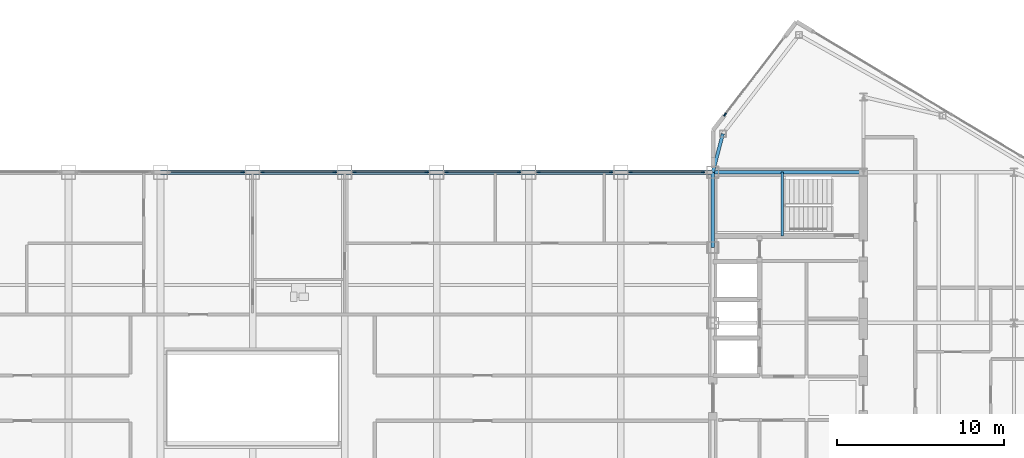
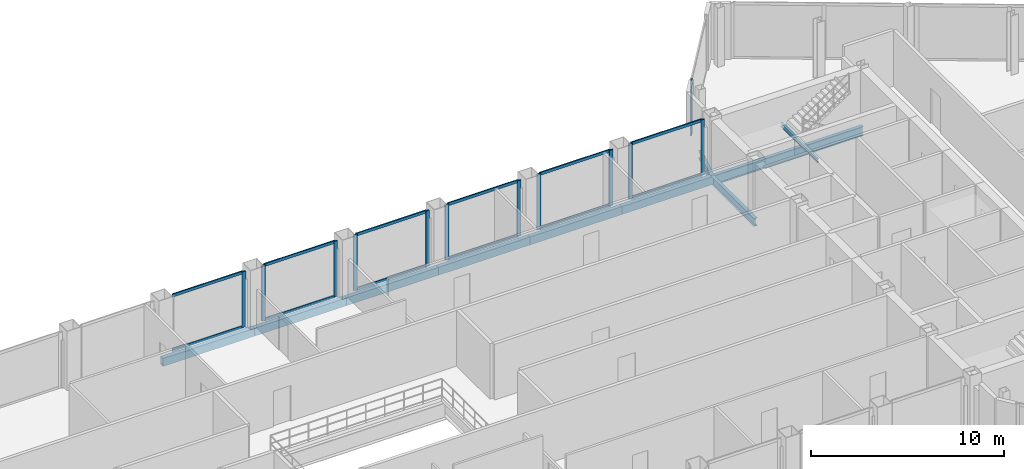
# One storey, part 16 of 29: 24 members, 10 beams, 7 elements without a shape of their own.
"""IFC4 building model written with IfcOpenShell, lengths in metres."""

from ifc_helpers import new_model, si_unit, direction, frame, origin, origin_2d, place, context, subcontext, project, spatial, rectangle, hollow_rectangle, i_section, extrude, source, transform, mapped, material, layer, layer_set, material_profile, profile_set, type_object, type_shapes, element, aggregate, save


model = new_model("IFC4")

# Units and contexts
model_context = context("Model", 3, precision=1e-05, world=origin(), true_north=direction((0.0, 1.0)))
body_context = subcontext(model_context, "Body", "Model", "MODEL_VIEW")
ifc_project = project(units=[si_unit("LENGTHUNIT", "METRE"), si_unit("AREAUNIT", "SQUARE_METRE"), si_unit("VOLUMEUNIT", "CUBIC_METRE"), si_unit("PLANEANGLEUNIT", "RADIAN"), si_unit("MASSUNIT", "GRAM", prefix="KILO")], contexts=[model_context])

# Site, building, storey
site_placement = place(None, origin())
site = spatial("IfcSite", under=ifc_project, at=site_placement, CompositionType="ELEMENT")
building_placement = place(site_placement, origin())
building = spatial("IfcBuilding", under=site, at=building_placement, Name="Seokmaru Belvedere", CompositionType="ELEMENT")
storey_placement = place(building_placement, frame((0.0, 0.0, 243.14990234375)))
storey = spatial("IfcBuildingStorey", under=building, at=storey_placement, Name="L64", CompositionType="ELEMENT", Elevation=243.14990234375)

# Beams
ifc_material_1 = material(Name="Steel SM355 (355 MPa)", Category="steel")
ifc_material_profile_1 = material_profile(ifc_material_1, i_section(OverallWidth=0.199951171875, OverallDepth=0.5, WebThickness=0.010009765625, FlangeThickness=0.01611328125, at=origin_2d()), Name="H-500x200x10x16")
ifc_profile_set_1 = profile_set([ifc_material_profile_1], Name="Steel SM355 (355 MPa)")
beam_type_1 = type_object("IfcBeamType", Name="Perimeter Spandrel Beam H-500", PredefinedType="SPANDREL", material=ifc_profile_set_1)
shared_shape_1 = source(origin(), body_context, "Body", "SweptSolid", [
    extrude(i_section(OverallWidth=0.199951171875, OverallDepth=0.5, WebThickness=0.010009765625, FlangeThickness=0.01611328125, at=origin_2d()), origin(), (0.0, 0.0, 1.0), 4.5),
])
beam_1_placement = place(storey_placement, frame((27.5, 9.0, -0.469970703125), z_axis=(0.0, 1.0, 0.0), x_axis=(-1.0, 0.0, 0.0)))
element("IfcBeam", 1, at=beam_1_placement, inside=storey, type_object=beam_type_1, Name="L64 E Portal Spine Spandrel 5", PredefinedType="SPANDREL", context=body_context, shape_type="MappedRepresentation", body=[
    mapped(shared_shape_1, transform((0.0, 0.0, 0.0), scale=1.0)),
])
ifc_material_profile_2 = material_profile(ifc_material_1, i_section(OverallWidth=0.199951171875, OverallDepth=0.60009765625, WebThickness=0.010986328125, FlangeThickness=0.01708984375, at=origin_2d()), Name="H-600x200x11x17")
ifc_profile_set_2 = profile_set([ifc_material_profile_2], Name="Steel SM355 (355 MPa)")
beam_type_2 = type_object("IfcBeamType", Name="Primary Floor Girder H-600", PredefinedType="BEAM", material=ifc_profile_set_2)
shared_shape_2 = source(origin(), body_context, "Body", "SweptSolid", [
    extrude(i_section(OverallWidth=0.199951171875, OverallDepth=0.60009765625, WebThickness=0.010986328125, FlangeThickness=0.01708984375, at=origin_2d()), origin(), (0.0, 0.0, 1.0), 9.0),
])
type_shapes(beam_type_2, [shared_shape_2])
beam_2_placement = place(storey_placement, frame((27.5, 13.5, -0.52001953125), z_axis=(1.0, 0.0, 0.0), x_axis=(0.0, 1.0, 0.0)))
element("IfcBeam", 2, at=beam_2_placement, inside=storey, type_object=beam_type_2, Name="L64 E Core Tie Girder 4", PredefinedType="BEAM", context=body_context, shape_type="MappedRepresentation", body=[
    mapped(shared_shape_2, transform((0.0, 0.0, 0.0), scale=1.0)),
])
shared_shape_3 = source(origin(), body_context, "Body", "SweptSolid", [
    extrude(i_section(OverallWidth=0.199951171875, OverallDepth=0.5, WebThickness=0.010009765625, FlangeThickness=0.01611328125, at=origin_2d()), origin(), (0.0, 0.0, 1.0), 2.373046875),
])
type_shapes(beam_type_1, [shared_shape_1, shared_shape_3])
beam_3_placement = place(storey_placement, frame((28.10009765625, 15.7958984375, -0.469970703125), z_axis=(-0.252882558842, -0.967496982648, 0.0), x_axis=(0.967496982648, -0.252882558842, 0.0)))
element("IfcBeam", 3, at=beam_3_placement, inside=storey, type_object=beam_type_1, Name="L64 E Shoulder Spine Spandrel N", PredefinedType="SPANDREL", context=body_context, shape_type="MappedRepresentation", body=[
    mapped(shared_shape_3, transform((0.0, 0.0, 0.0), scale=1.0)),
])
ifc_material_profile_3 = material_profile(ifc_material_1, hollow_rectangle(XDim=0.25, YDim=0.5, WallThickness=0.013916015625, at=origin_2d()), Name="RHS-500x250x14")
ifc_profile_set_3 = profile_set([ifc_material_profile_3], Name="Steel SM355 (355 MPa)")
beam_type_3 = type_object("IfcBeamType", Name="Bridge Edge Spandrel RHS-500", PredefinedType="SPANDREL", material=ifc_profile_set_3)
shared_shape_4 = source(origin(), body_context, "Body", "SweptSolid", [
    extrude(hollow_rectangle(XDim=0.25, YDim=0.5, WallThickness=0.013916015625, at=origin_2d()), origin(), (0.0, 0.0, 1.0), 5.5),
])
type_shapes(beam_type_3, [shared_shape_4])
for number, where, z_axis, x_axis, name in (
    (4, (-5.5, 13.5, -0.469970703125), (1.0, 0.0, 0.0), (0.0, 1.0, 0.0), "L64 Sky-Gate Bridge Edge Girder N-05"),
    (5, (0.0, 13.5, -0.469970703125), (1.0, 0.0, 0.0), (0.0, 1.0, 0.0), "L64 Sky-Gate Bridge Edge Girder N-06"),
    (6, (5.5, 13.5, -0.469970703125), (1.0, 0.0, 0.0), (0.0, 1.0, 0.0), "L64 Sky-Gate Bridge Edge Girder N-07"),
    (7, (11.0, 13.5, -0.469970703125), (1.0, 0.0, 0.0), (0.0, 1.0, 0.0), "L64 Sky-Gate Bridge Edge Girder N-08"),
    (8, (16.5, 13.5, -0.469970703125), (1.0, 0.0, 0.0), (0.0, 1.0, 0.0), "L64 Sky-Gate Bridge Edge Girder N-09"),
    (9, (22.0, 13.5, -0.469970703125), (1.0, 0.0, 0.0), (0.0, 1.0, 0.0), "L64 Sky-Gate Bridge Edge Girder N-10"),
):
    element("IfcBeam", number, at=place(storey_placement, frame(where, z_axis=z_axis, x_axis=x_axis)), inside=storey, type_object=beam_type_3, Name=name, PredefinedType="SPANDREL", context=body_context, shape_type="MappedRepresentation", body=[
        mapped(shared_shape_4, transform((0.0, 0.0, 0.0), scale=1.0)),
    ])

# Curtain wall, members
ifc_material_2 = material(Name="Bronze Triple Insulating Glass", Category="glass")
ifc_layer = layer(ifc_material_2, 0.219970703125)
ifc_layer_set = layer_set([ifc_layer], Name="Bronze Triple Insulating Glass")
curtain_wall_type = type_object("IfcCurtainWallType", Name="Sky-Gate Bridge Panorama Curtain Wall System CW-6", PredefinedType="NOTDEFINED", material=ifc_layer_set)
curtain_wall_1_placement = place(storey_placement, origin())
curtain_wall_1 = element("IfcCurtainWall", 10, at=curtain_wall_1_placement, inside=storey, type_object=curtain_wall_type, Name="L64 Curtain Wall BR_N05", PredefinedType="NOTDEFINED")
ifc_material_3 = material(Name="Anodised Bronze Aluminium", Category="aluminium")
ifc_material_profile_4 = material_profile(ifc_material_3, rectangle(XDim=0.074951171875, YDim=0.179931640625, at=origin_2d()), Name="CW-T-75x180")
ifc_profile_set_4 = profile_set([ifc_material_profile_4], Name="Anodised Bronze Aluminium")
member_type_1 = type_object("IfcMemberType", Name="Bronze Unitised Transom 75x180", PredefinedType="USERDEFINED", material=ifc_profile_set_4)
shared_shape_5 = source(origin(), body_context, "Body", "SweptSolid", [
    extrude(rectangle(XDim=0.074951171875, YDim=0.179931640625, at=origin_2d()), origin(), (0.0, 0.0, 1.0), 4.240234375),
])
type_shapes(member_type_1, [shared_shape_5])
member_1_placement = place(storey_placement, frame((-0.6298828125, 13.5, 0.03759765625), z_axis=(-1.0, 0.0, 0.0), x_axis=(0.0, -1.0, 0.0)))
member_1 = element("IfcMember", 11, at=member_1_placement, type_object=member_type_1, Name="CW:L64:BR_N05 Continuous Transom 1", ObjectType="TRANSOM", PredefinedType="USERDEFINED", context=body_context, shape_type="MappedRepresentation", body=[
    mapped(shared_shape_5, transform((0.0, 0.0, 0.0), scale=1.0)),
])
member_2_placement = place(storey_placement, frame((-0.6298828125, 13.5, 3.49267578125), z_axis=(-1.0, 0.0, 0.0), x_axis=(0.0, -1.0, 0.0)))
member_2 = element("IfcMember", 12, at=member_2_placement, type_object=member_type_1, Name="CW:L64:BR_N05 Continuous Transom 2", ObjectType="TRANSOM", PredefinedType="USERDEFINED", context=body_context, shape_type="MappedRepresentation", body=[
    mapped(shared_shape_5, transform((0.0, 0.0, 0.0), scale=1.0)),
])

curtain_wall_2_placement = place(storey_placement, origin())
curtain_wall_2 = element("IfcCurtainWall", 13, at=curtain_wall_2_placement, inside=storey, type_object=curtain_wall_type, Name="L64 Curtain Wall BR_N06", PredefinedType="NOTDEFINED")
member_3_placement = place(storey_placement, frame((4.8701171875, 13.5, 0.03759765625), z_axis=(-1.0, 0.0, 0.0), x_axis=(0.0, -1.0, 0.0)))
member_3 = element("IfcMember", 14, at=member_3_placement, type_object=member_type_1, Name="CW:L64:BR_N06 Continuous Transom 1", ObjectType="TRANSOM", PredefinedType="USERDEFINED", context=body_context, shape_type="MappedRepresentation", body=[
    mapped(shared_shape_5, transform((0.0, 0.0, 0.0), scale=1.0)),
])
member_4_placement = place(storey_placement, frame((4.8701171875, 13.5, 3.49267578125), z_axis=(-1.0, 0.0, 0.0), x_axis=(0.0, -1.0, 0.0)))
member_4 = element("IfcMember", 15, at=member_4_placement, type_object=member_type_1, Name="CW:L64:BR_N06 Continuous Transom 2", ObjectType="TRANSOM", PredefinedType="USERDEFINED", context=body_context, shape_type="MappedRepresentation", body=[
    mapped(shared_shape_5, transform((0.0, 0.0, 0.0), scale=1.0)),
])

curtain_wall_3_placement = place(storey_placement, origin())
curtain_wall_3 = element("IfcCurtainWall", 16, at=curtain_wall_3_placement, inside=storey, type_object=curtain_wall_type, Name="L64 Curtain Wall BR_N07", PredefinedType="NOTDEFINED")
member_5_placement = place(storey_placement, frame((10.3701171875, 13.5, 0.03759765625), z_axis=(-1.0, 0.0, 0.0), x_axis=(0.0, -1.0, 0.0)))
member_5 = element("IfcMember", 17, at=member_5_placement, type_object=member_type_1, Name="CW:L64:BR_N07 Continuous Transom 1", ObjectType="TRANSOM", PredefinedType="USERDEFINED", context=body_context, shape_type="MappedRepresentation", body=[
    mapped(shared_shape_5, transform((0.0, 0.0, 0.0), scale=1.0)),
])
member_6_placement = place(storey_placement, frame((10.3701171875, 13.5, 3.49267578125), z_axis=(-1.0, 0.0, 0.0), x_axis=(0.0, -1.0, 0.0)))
member_6 = element("IfcMember", 18, at=member_6_placement, type_object=member_type_1, Name="CW:L64:BR_N07 Continuous Transom 2", ObjectType="TRANSOM", PredefinedType="USERDEFINED", context=body_context, shape_type="MappedRepresentation", body=[
    mapped(shared_shape_5, transform((0.0, 0.0, 0.0), scale=1.0)),
])

curtain_wall_4_placement = place(storey_placement, origin())
curtain_wall_4 = element("IfcCurtainWall", 19, at=curtain_wall_4_placement, inside=storey, type_object=curtain_wall_type, Name="L64 Curtain Wall BR_N08", PredefinedType="NOTDEFINED")
member_7_placement = place(storey_placement, frame((15.8701171875, 13.5, 0.03759765625), z_axis=(-1.0, 0.0, 0.0), x_axis=(0.0, -1.0, 0.0)))
member_7 = element("IfcMember", 20, at=member_7_placement, type_object=member_type_1, Name="CW:L64:BR_N08 Continuous Transom 1", ObjectType="TRANSOM", PredefinedType="USERDEFINED", context=body_context, shape_type="MappedRepresentation", body=[
    mapped(shared_shape_5, transform((0.0, 0.0, 0.0), scale=1.0)),
])
member_8_placement = place(storey_placement, frame((15.8701171875, 13.5, 3.49267578125), z_axis=(-1.0, 0.0, 0.0), x_axis=(0.0, -1.0, 0.0)))
member_8 = element("IfcMember", 21, at=member_8_placement, type_object=member_type_1, Name="CW:L64:BR_N08 Continuous Transom 2", ObjectType="TRANSOM", PredefinedType="USERDEFINED", context=body_context, shape_type="MappedRepresentation", body=[
    mapped(shared_shape_5, transform((0.0, 0.0, 0.0), scale=1.0)),
])

curtain_wall_5_placement = place(storey_placement, origin())
curtain_wall_5 = element("IfcCurtainWall", 22, at=curtain_wall_5_placement, inside=storey, type_object=curtain_wall_type, Name="L64 Curtain Wall BR_N09", PredefinedType="NOTDEFINED")
member_9_placement = place(storey_placement, frame((21.3701171875, 13.5, 0.03759765625), z_axis=(-1.0, 0.0, 0.0), x_axis=(0.0, -1.0, 0.0)))
member_9 = element("IfcMember", 23, at=member_9_placement, type_object=member_type_1, Name="CW:L64:BR_N09 Continuous Transom 1", ObjectType="TRANSOM", PredefinedType="USERDEFINED", context=body_context, shape_type="MappedRepresentation", body=[
    mapped(shared_shape_5, transform((0.0, 0.0, 0.0), scale=1.0)),
])
member_10_placement = place(storey_placement, frame((21.3701171875, 13.5, 3.49267578125), z_axis=(-1.0, 0.0, 0.0), x_axis=(0.0, -1.0, 0.0)))
member_10 = element("IfcMember", 24, at=member_10_placement, type_object=member_type_1, Name="CW:L64:BR_N09 Continuous Transom 2", ObjectType="TRANSOM", PredefinedType="USERDEFINED", context=body_context, shape_type="MappedRepresentation", body=[
    mapped(shared_shape_5, transform((0.0, 0.0, 0.0), scale=1.0)),
])

curtain_wall_6_placement = place(storey_placement, origin())
curtain_wall_6 = element("IfcCurtainWall", 25, at=curtain_wall_6_placement, inside=storey, type_object=curtain_wall_type, Name="L64 Curtain Wall BR_N10", PredefinedType="NOTDEFINED")
member_11_placement = place(storey_placement, frame((26.8701171875, 13.5, 0.03759765625), z_axis=(-1.0, 0.0, 0.0), x_axis=(0.0, -1.0, 0.0)))
member_11 = element("IfcMember", 26, at=member_11_placement, type_object=member_type_1, Name="CW:L64:BR_N10 Continuous Transom 1", ObjectType="TRANSOM", PredefinedType="USERDEFINED", context=body_context, shape_type="MappedRepresentation", body=[
    mapped(shared_shape_5, transform((0.0, 0.0, 0.0), scale=1.0)),
])
member_12_placement = place(storey_placement, frame((26.8701171875, 13.5, 3.49267578125), z_axis=(-1.0, 0.0, 0.0), x_axis=(0.0, -1.0, 0.0)))
member_12 = element("IfcMember", 27, at=member_12_placement, type_object=member_type_1, Name="CW:L64:BR_N10 Continuous Transom 2", ObjectType="TRANSOM", PredefinedType="USERDEFINED", context=body_context, shape_type="MappedRepresentation", body=[
    mapped(shared_shape_5, transform((0.0, 0.0, 0.0), scale=1.0)),
])

# Curtain wall, member
curtain_wall_7_placement = place(storey_placement, origin())
curtain_wall_7 = element("IfcCurtainWall", 28, at=curtain_wall_7_placement, inside=storey, type_object=curtain_wall_type, Name="L64 Curtain Wall EF4", PredefinedType="NOTDEFINED")
ifc_material_profile_5 = material_profile(ifc_material_3, rectangle(XDim=0.080078125, YDim=0.219970703125, at=origin_2d()), Name="CW-M-80x220")
ifc_profile_set_5 = profile_set([ifc_material_profile_5], Name="Anodised Bronze Aluminium")
member_type_2 = type_object("IfcMemberType", Name="Bronze Unitised Mullion 80x220", PredefinedType="MULLION", material=ifc_profile_set_5)
shared_shape_6 = source(origin(), body_context, "Body", "SweptSolid", [
    extrude(rectangle(XDim=0.080078125, YDim=0.219970703125, at=origin_2d()), origin(), (0.0, 0.0, 1.0), 3.530029296875),
])
type_shapes(member_type_2, [shared_shape_6])
member_13_placement = place(storey_placement, frame((28.2255859375, 16.943115234375, 0.0), z_axis=(0.0, 0.0, 1.0), x_axis=(0.792631353244, -0.609701187349, 0.0)))
member_13 = element("IfcMember", 29, at=member_13_placement, type_object=member_type_2, Name="CW:L64:EF4 Mullion 2", PredefinedType="MULLION", context=body_context, shape_type="MappedRepresentation", body=[
    mapped(shared_shape_6, transform((0.0, 0.0, 0.0), scale=1.0)),
])
aggregate(curtain_wall_7, [member_13])

# Member
member_14_placement = place(storey_placement, frame((-0.590087890625, 13.5, 0.0), z_axis=(0.0, 0.0, 1.0), x_axis=(0.0, -1.0, 0.0)))
member_14 = element("IfcMember", 30, at=member_14_placement, type_object=member_type_2, Name="CW:L64:BR_N05 Mullion 1", PredefinedType="MULLION", context=body_context, shape_type="MappedRepresentation", body=[
    mapped(shared_shape_6, transform((0.0, 0.0, 0.0), scale=1.0)),
])

aggregate(curtain_wall_1, [member_14, member_1, member_2])

member_15_placement = place(storey_placement, frame((4.909912109375, 13.5, 0.0), z_axis=(0.0, 0.0, 1.0), x_axis=(0.0, -1.0, 0.0)))
member_15 = element("IfcMember", 31, at=member_15_placement, type_object=member_type_2, Name="CW:L64:BR_N06 Mullion 1", PredefinedType="MULLION", context=body_context, shape_type="MappedRepresentation", body=[
    mapped(shared_shape_6, transform((0.0, 0.0, 0.0), scale=1.0)),
])

member_16_placement = place(storey_placement, frame((0.590087890625, 13.5, 0.0), z_axis=(0.0, 0.0, 1.0), x_axis=(0.0, -1.0, 0.0)))
member_16 = element("IfcMember", 32, at=member_16_placement, type_object=member_type_2, Name="CW:L64:BR_N06 Mullion 2", PredefinedType="MULLION", context=body_context, shape_type="MappedRepresentation", body=[
    mapped(shared_shape_6, transform((0.0, 0.0, 0.0), scale=1.0)),
])

aggregate(curtain_wall_2, [member_15, member_16, member_3, member_4])

member_17_placement = place(storey_placement, frame((10.409912109375, 13.5, 0.0), z_axis=(0.0, 0.0, 1.0), x_axis=(0.0, -1.0, 0.0)))
member_17 = element("IfcMember", 33, at=member_17_placement, type_object=member_type_2, Name="CW:L64:BR_N07 Mullion 1", PredefinedType="MULLION", context=body_context, shape_type="MappedRepresentation", body=[
    mapped(shared_shape_6, transform((0.0, 0.0, 0.0), scale=1.0)),
])

member_18_placement = place(storey_placement, frame((6.090087890625, 13.5, 0.0), z_axis=(0.0, 0.0, 1.0), x_axis=(0.0, -1.0, 0.0)))
member_18 = element("IfcMember", 34, at=member_18_placement, type_object=member_type_2, Name="CW:L64:BR_N07 Mullion 2", PredefinedType="MULLION", context=body_context, shape_type="MappedRepresentation", body=[
    mapped(shared_shape_6, transform((0.0, 0.0, 0.0), scale=1.0)),
])

aggregate(curtain_wall_3, [member_17, member_18, member_5, member_6])

member_19_placement = place(storey_placement, frame((15.909912109375, 13.5, 0.0), z_axis=(0.0, 0.0, 1.0), x_axis=(0.0, -1.0, 0.0)))
member_19 = element("IfcMember", 35, at=member_19_placement, type_object=member_type_2, Name="CW:L64:BR_N08 Mullion 1", PredefinedType="MULLION", context=body_context, shape_type="MappedRepresentation", body=[
    mapped(shared_shape_6, transform((0.0, 0.0, 0.0), scale=1.0)),
])

member_20_placement = place(storey_placement, frame((11.590087890625, 13.5, 0.0), z_axis=(0.0, 0.0, 1.0), x_axis=(0.0, -1.0, 0.0)))
member_20 = element("IfcMember", 36, at=member_20_placement, type_object=member_type_2, Name="CW:L64:BR_N08 Mullion 2", PredefinedType="MULLION", context=body_context, shape_type="MappedRepresentation", body=[
    mapped(shared_shape_6, transform((0.0, 0.0, 0.0), scale=1.0)),
])

aggregate(curtain_wall_4, [member_19, member_20, member_7, member_8])

member_21_placement = place(storey_placement, frame((21.409912109375, 13.5, 0.0), z_axis=(0.0, 0.0, 1.0), x_axis=(0.0, -1.0, 0.0)))
member_21 = element("IfcMember", 37, at=member_21_placement, type_object=member_type_2, Name="CW:L64:BR_N09 Mullion 1", PredefinedType="MULLION", context=body_context, shape_type="MappedRepresentation", body=[
    mapped(shared_shape_6, transform((0.0, 0.0, 0.0), scale=1.0)),
])

member_22_placement = place(storey_placement, frame((17.090087890625, 13.5, 0.0), z_axis=(0.0, 0.0, 1.0), x_axis=(0.0, -1.0, 0.0)))
member_22 = element("IfcMember", 38, at=member_22_placement, type_object=member_type_2, Name="CW:L64:BR_N09 Mullion 2", PredefinedType="MULLION", context=body_context, shape_type="MappedRepresentation", body=[
    mapped(shared_shape_6, transform((0.0, 0.0, 0.0), scale=1.0)),
])

aggregate(curtain_wall_5, [member_21, member_22, member_9, member_10])

member_23_placement = place(storey_placement, frame((26.909912109375, 13.5, 0.0), z_axis=(0.0, 0.0, 1.0), x_axis=(0.0, -1.0, 0.0)))
member_23 = element("IfcMember", 39, at=member_23_placement, type_object=member_type_2, Name="CW:L64:BR_N10 Mullion 1", PredefinedType="MULLION", context=body_context, shape_type="MappedRepresentation", body=[
    mapped(shared_shape_6, transform((0.0, 0.0, 0.0), scale=1.0)),
])

member_24_placement = place(storey_placement, frame((22.590087890625, 13.5, 0.0), z_axis=(0.0, 0.0, 1.0), x_axis=(0.0, -1.0, 0.0)))
member_24 = element("IfcMember", 40, at=member_24_placement, type_object=member_type_2, Name="CW:L64:BR_N10 Mullion 2", PredefinedType="MULLION", context=body_context, shape_type="MappedRepresentation", body=[
    mapped(shared_shape_6, transform((0.0, 0.0, 0.0), scale=1.0)),
])

aggregate(curtain_wall_6, [member_23, member_24, member_11, member_12])

# Beam
ifc_material_profile_6 = material_profile(ifc_material_1, i_section(OverallWidth=0.125, OverallDepth=0.25, WebThickness=0.006103515625, FlangeThickness=0.009033203125, at=origin_2d()), Name="H-250x125x6x9")
ifc_profile_set_6 = profile_set([ifc_material_profile_6], Name="Steel SM355 (355 MPa)")
beam_type_4 = type_object("IfcBeamType", Name="Stair Mid-Landing Support Beam H-250", PredefinedType="JOIST", material=ifc_profile_set_6)
shared_shape_7 = source(origin(), body_context, "Body", "SweptSolid", [
    extrude(i_section(OverallWidth=0.125, OverallDepth=0.25, WebThickness=0.006103515625, FlangeThickness=0.009033203125, at=origin_2d()), origin(), (0.0, 0.0, 1.0), 3.800048828125),
])
type_shapes(beam_type_4, [shared_shape_7])
beam_4_placement = place(storey_placement, frame((31.64990234375, 9.699951171875, 1.550048828125), z_axis=(0.0, 1.0, 0.0), x_axis=(-1.0, 0.0, 0.0)))
element("IfcBeam", 41, at=beam_4_placement, inside=storey, type_object=beam_type_4, Name="L64 Stair ST-E2 Mid-Landing Support Beam 1", PredefinedType="JOIST", context=body_context, shape_type="MappedRepresentation", body=[
    mapped(shared_shape_7, transform((0.0, 0.0, 0.0), scale=1.0)),
])

save(model, "model.ifc")
